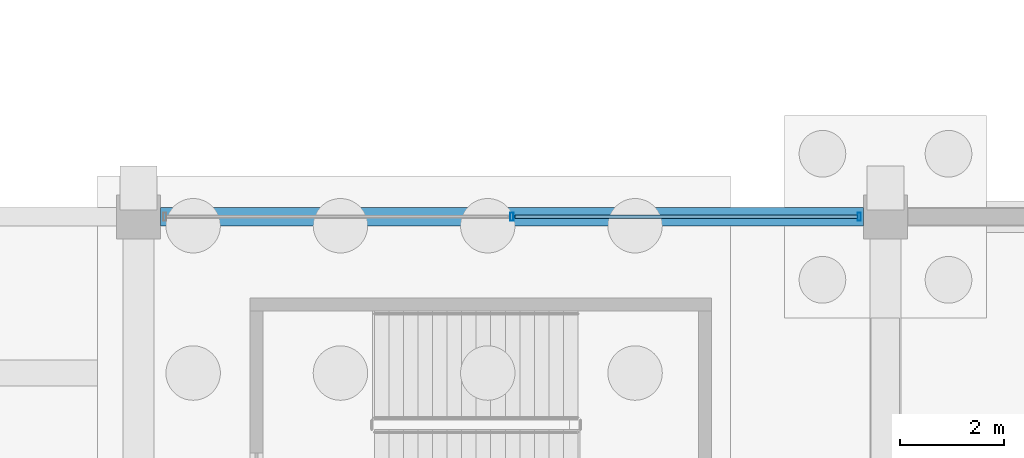
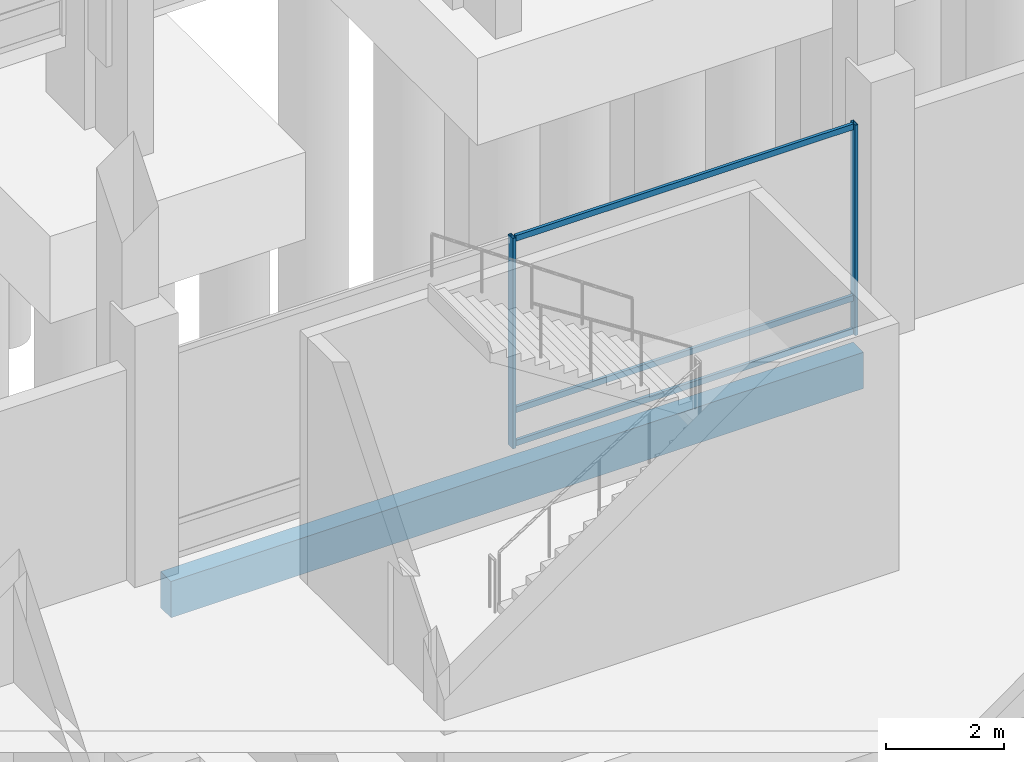
# One storey, part 57 of 192: 5 members, 1 beam, 1 element without a shape of its own.
"""IFC4 building model written with IfcOpenShell, lengths in metres."""

from ifc_helpers import new_model, si_unit, direction, frame, origin, origin_2d, place, context, subcontext, project, spatial, rectangle, hollow_rectangle, extrude, material, material_profile, profile_set, type_object, element, aggregate, save


model = new_model("IFC4")

# Units and contexts
model_context = context("Model", 3, precision=1e-05, world=origin(), true_north=direction((0.0, 1.0)))
body_context = subcontext(model_context, "Body", "Model", "MODEL_VIEW")
ifc_project = project(units=[si_unit("LENGTHUNIT", "METRE"), si_unit("AREAUNIT", "SQUARE_METRE"), si_unit("VOLUMEUNIT", "CUBIC_METRE"), si_unit("PLANEANGLEUNIT", "RADIAN"), si_unit("MASSUNIT", "GRAM", prefix="KILO")], contexts=[model_context])

# Site, building, storey
site_placement = place(None, origin())
site = spatial("IfcSite", under=ifc_project, at=site_placement, CompositionType="ELEMENT")
building_placement = place(site_placement, origin())
building = spatial("IfcBuilding", under=site, at=building_placement, Name="Cendralis Lancet Convention Centre", CompositionType="ELEMENT")
storey_placement = place(building_placement, origin())
storey = spatial("IfcBuildingStorey", under=building, at=storey_placement, Name="L00", CompositionType="ELEMENT", Elevation=0.0)

# Curtain wall, members
ifc_material_1 = material(Name="Anodised bronze architectural aluminium", Category="aluminium")
curtain_wall_type = type_object("IfcCurtainWallType", Name="ARC-CW-CL01", PredefinedType="USERDEFINED", material=ifc_material_1)
curtain_wall_placement = place(storey_placement, origin())
curtain_wall = element("IfcCurtainWall", 1, at=curtain_wall_placement, inside=storey, type_object=curtain_wall_type, Name="L00 Curtain Wall CW-CL1 #164", ObjectType="CURTAIN WALL", PredefinedType="USERDEFINED")
ifc_material_profile_1 = material_profile(ifc_material_1, hollow_rectangle(XDim=0.06005859375, YDim=0.159912109375, WallThickness=0.00390625, at=origin_2d()), Name="AL-MULL 60x160x4.0")
ifc_profile_set_1 = profile_set([ifc_material_profile_1], Name="Anodised bronze architectural aluminium")
member_type_1 = type_object("IfcMemberType", Name="ARC-CW-ML01", PredefinedType="MULLION", material=ifc_profile_set_1)
member_1_placement = place(storey_placement, frame((100.800048828125, 36.0, 0.0), z_axis=(0.0, 0.0, 1.0), x_axis=(1.0, 0.0, 0.0)))
member_1 = element("IfcMember", 2, at=member_1_placement, type_object=member_type_1, Name="Mullion CW2-CW-CL1-L00-164-M1", PredefinedType="MULLION", context=body_context, shape_type="SweptSolid", body=[
    extrude(hollow_rectangle(XDim=0.06005859375, YDim=0.159912109375, WallThickness=0.00390625, at=origin_2d()), origin(), (0.0, 0.0, 1.0), 4.35498046875),
])
member_2_placement = place(storey_placement, frame((107.4951171875, 36.0, 0.0), z_axis=(0.0, 0.0, 1.0), x_axis=(1.0, 0.0, 0.0)))
member_2 = element("IfcMember", 3, at=member_2_placement, type_object=member_type_1, Name="Mullion CW2-CW-CL1-L00-164-M2", PredefinedType="MULLION", context=body_context, shape_type="SweptSolid", body=[
    extrude(hollow_rectangle(XDim=0.06005859375, YDim=0.159912109375, WallThickness=0.00390625, at=origin_2d()), origin(), (0.0, 0.0, 1.0), 4.35498046875),
])
ifc_material_profile_2 = material_profile(ifc_material_1, hollow_rectangle(XDim=0.06005859375, YDim=0.1201171875, WallThickness=0.00390625, at=origin_2d()), Name="AL-TRAN 60x120x4.0")
ifc_profile_set_2 = profile_set([ifc_material_profile_2], Name="Anodised bronze architectural aluminium")
member_type_2 = type_object("IfcMemberType", Name="ARC-CW-TR01", PredefinedType="USERDEFINED", material=ifc_profile_set_2)
member_3_placement = place(storey_placement, frame((100.860107421875, 36.0, 0.06005859375), z_axis=(1.0, 0.0, 0.0), x_axis=(0.0, 1.0, 0.0)))
member_3 = element("IfcMember", 4, at=member_3_placement, type_object=member_type_2, Name="Transom CW2-CW-CL1-L00-164-T1BOT", ObjectType="TRANSOM", PredefinedType="USERDEFINED", context=body_context, shape_type="SweptSolid", body=[
    extrude(hollow_rectangle(XDim=0.06005859375, YDim=0.1201171875, WallThickness=0.00390625, at=origin_2d()), origin(), (0.0, 0.0, 1.0), 6.60498046875),
])
member_4_placement = place(storey_placement, frame((100.860107421875, 36.0, 0.75), z_axis=(1.0, 0.0, 0.0), x_axis=(0.0, 1.0, 0.0)))
member_4 = element("IfcMember", 5, at=member_4_placement, type_object=member_type_2, Name="Transom CW2-CW-CL1-L00-164-T1MID", ObjectType="TRANSOM", PredefinedType="USERDEFINED", context=body_context, shape_type="SweptSolid", body=[
    extrude(hollow_rectangle(XDim=0.06005859375, YDim=0.1201171875, WallThickness=0.00390625, at=origin_2d()), origin(), (0.0, 0.0, 1.0), 6.60498046875),
])
member_5_placement = place(storey_placement, frame((100.860107421875, 36.0, 4.294921875), z_axis=(1.0, 0.0, 0.0), x_axis=(0.0, 1.0, 0.0)))
member_5 = element("IfcMember", 6, at=member_5_placement, type_object=member_type_2, Name="Transom CW2-CW-CL1-L00-164-T1TOP", ObjectType="TRANSOM", PredefinedType="USERDEFINED", context=body_context, shape_type="SweptSolid", body=[
    extrude(hollow_rectangle(XDim=0.06005859375, YDim=0.1201171875, WallThickness=0.00390625, at=origin_2d()), origin(), (0.0, 0.0, 1.0), 6.60498046875),
])
aggregate(curtain_wall, [member_1, member_2, member_3, member_4, member_5])

# Beam
ifc_material_2 = material(Name="Concrete G40 (C40/50)", Category="concrete")
ifc_material_profile_3 = material_profile(ifc_material_2, rectangle(XDim=0.35009765625, YDim=0.75, at=origin_2d()), Name="RCB 350x750")
ifc_profile_set_3 = profile_set([ifc_material_profile_3], Name="Concrete G40 (C40/50)")
beam_type = type_object("IfcBeamType", Name="STR-SP-SP01", PredefinedType="SPANDREL", material=ifc_profile_set_3)
beam_placement = place(storey_placement, frame((94.02490234375, 36.0, -0.695068359375), z_axis=(1.0, 0.0, 0.0), x_axis=(0.0, 1.0, 0.0)))
element("IfcBeam", 7, at=beam_placement, inside=storey, type_object=beam_type, Name="L00 Beam SP01 #0689", PredefinedType="SPANDREL", context=body_context, shape_type="SweptSolid", body=[
    extrude(rectangle(XDim=0.35009765625, YDim=0.75, at=origin_2d()), origin(), (0.0, 0.0, 1.0), 13.550048828125),
])

save(model, "model.ifc")
